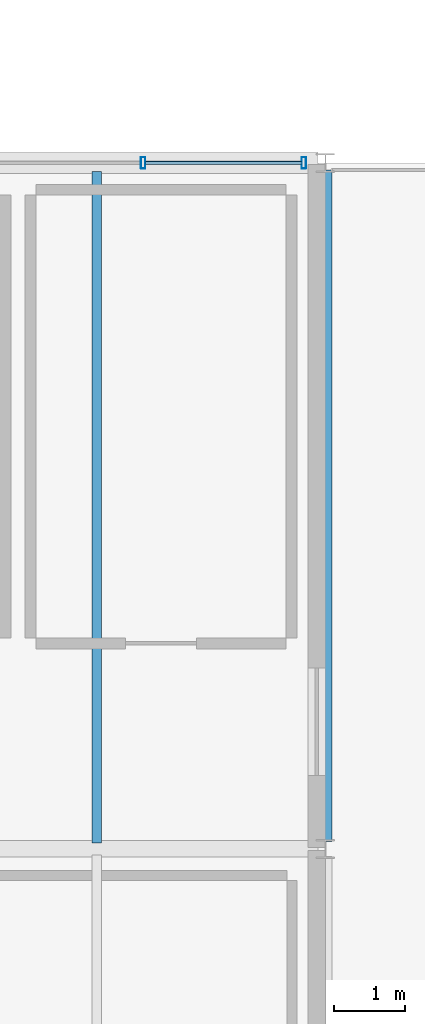
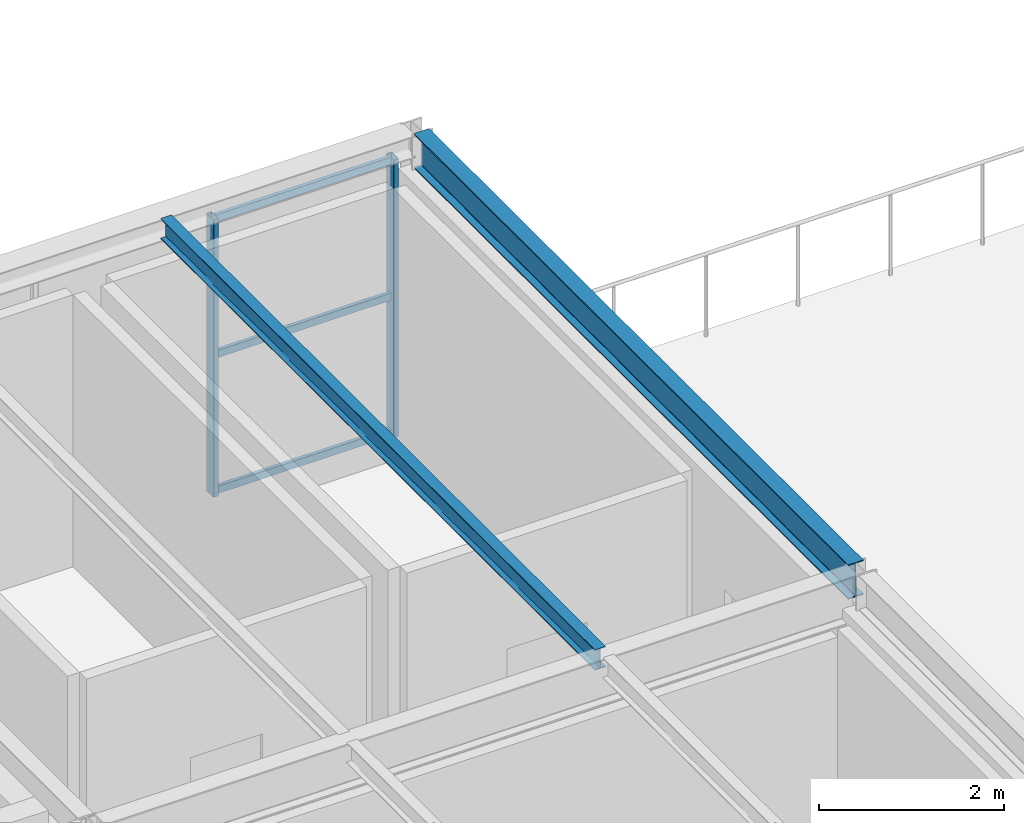
# One storey, part 31 of 39: 5 members, 2 beams, 1 element without a shape of its own.
"""IFC4 building model written with IfcOpenShell, lengths in metres."""

from ifc_helpers import new_model, si_unit, direction, frame, origin, origin_2d, place, context, subcontext, project, spatial, hollow_rectangle, i_section, extrude, material, material_profile, profile_set, type_object, element, aggregate, save


model = new_model("IFC4")

# Units and contexts
model_context = context("Model", 3, precision=1e-05, world=origin(), true_north=direction((0.0, 1.0)))
body_context = subcontext(model_context, "Body", "Model", "MODEL_VIEW")
ifc_project = project(units=[si_unit("LENGTHUNIT", "METRE"), si_unit("AREAUNIT", "SQUARE_METRE"), si_unit("VOLUMEUNIT", "CUBIC_METRE"), si_unit("PLANEANGLEUNIT", "RADIAN"), si_unit("MASSUNIT", "GRAM", prefix="KILO")], contexts=[model_context])

# Site, building, storey
site_placement = place(None, origin())
site = spatial("IfcSite", under=ifc_project, at=site_placement, CompositionType="ELEMENT")
building_placement = place(site_placement, origin())
building = spatial("IfcBuilding", under=site, at=building_placement, Name="Coralgate Yard Interchange", CompositionType="ELEMENT")
storey_placement = place(building_placement, frame((0.0, 0.0, 18.89990234375)))
storey = spatial("IfcBuildingStorey", under=building, at=storey_placement, Name="L04", CompositionType="ELEMENT", Elevation=18.89990234375)

# Beams
ifc_material_1 = material(Name="Structural steel S355J2", Category="steel")
ifc_material_profile_1 = material_profile(ifc_material_1, i_section(OverallWidth=0.1904296875, OverallDepth=0.45703125, WebThickness=0.009033203125, FlangeThickness=0.014404296875, FilletRadius=0.01025390625, at=origin_2d()), Name="UB 457x191x74")
ifc_profile_set_1 = profile_set([ifc_material_profile_1], Name="Structural steel S355J2")
beam_type_1 = type_object("IfcBeamType", Name="BM-SB-2", PredefinedType="BEAM", material=ifc_profile_set_1)
beam_1_placement = place(storey_placement, frame((67.199951171875, 9.703369140625, 3.7216796875), z_axis=(0.0, 1.0, 0.0), x_axis=(-1.0, 0.0, 0.0)))
element("IfcBeam", 1, at=beam_1_placement, inside=storey, type_object=beam_type_1, Name="L04 primary grid girder X7 Y1-2", PredefinedType="BEAM", context=body_context, shape_type="SweptSolid", body=[
    extrude(i_section(OverallWidth=0.1904296875, OverallDepth=0.45703125, WebThickness=0.009033203125, FlangeThickness=0.014404296875, FilletRadius=0.01025390625, at=origin_2d()), origin(), (0.0, 0.0, 1.0), 9.393310546875),
])
ifc_material_profile_2 = material_profile(ifc_material_1, i_section(OverallWidth=0.135009765625, OverallDepth=0.27001953125, WebThickness=0.006591796875, FlangeThickness=0.01025390625, FilletRadius=0.014892578125, at=origin_2d()), Name="IPE 270")
ifc_profile_set_2 = profile_set([ifc_material_profile_2], Name="Structural steel S355J2")
beam_type_2 = type_object("IfcBeamType", Name="BM-SJ-3", PredefinedType="JOIST", material=ifc_profile_set_2)
beam_2_placement = place(storey_placement, frame((64.0, 9.68408203125, 3.815185546875), z_axis=(0.0, 1.0, 0.0), x_axis=(-1.0, 0.0, 0.0)))
element("IfcBeam", 2, at=beam_2_placement, inside=storey, type_object=beam_type_2, Name="L04 composite floor joist 6-1-2", PredefinedType="JOIST", context=body_context, shape_type="SweptSolid", body=[
    extrude(i_section(OverallWidth=0.135009765625, OverallDepth=0.27001953125, WebThickness=0.006591796875, FlangeThickness=0.01025390625, FilletRadius=0.014892578125, at=origin_2d()), origin(), (0.0, 0.0, 1.0), 9.39599609375),
])

# Curtain wall, members
ifc_material_2 = material(Name="Anodised coastal aluminium and solar-control low-E glass", Category="aluminium")
curtain_wall_type = type_object("IfcCurtainWallType", Name="CW-CW-L04-A", PredefinedType="NOTDEFINED", material=ifc_material_2)
curtain_wall_placement = place(storey_placement, origin())
curtain_wall = element("IfcCurtainWall", 3, at=curtain_wall_placement, inside=storey, type_object=curtain_wall_type, Name="L04 unitised curtain wall CW-L04-N-06-01", PredefinedType="NOTDEFINED")
ifc_material_3 = material(Name="Anodised coastal aluminium 6063-T6", Category="aluminium")
ifc_material_profile_3 = material_profile(ifc_material_3, hollow_rectangle(XDim=0.06494140625, YDim=0.159912109375, WallThickness=0.00390625, InnerFilletRadius=0.00390625, OuterFilletRadius=0.008056640625, at=origin_2d()), Name="ALU 65x160x4")
ifc_profile_set_3 = profile_set([ifc_material_profile_3], Name="Anodised coastal aluminium 6063-T6")
member_type_1 = type_object("IfcMemberType", Name="MB-MUL-160", PredefinedType="MULLION", material=ifc_profile_set_3)
member_1_placement = place(storey_placement, frame((64.64990234375, 19.199951171875, 0.0), z_axis=(0.0, 0.0, 1.0), x_axis=(1.0, 0.0, 0.0)))
member_1 = element("IfcMember", 4, at=member_1_placement, type_object=member_type_1, Name="CW-L04-N-06-01 vertical mullion 4", PredefinedType="MULLION", context=body_context, shape_type="SweptSolid", body=[
    extrude(hollow_rectangle(XDim=0.06494140625, YDim=0.159912109375, WallThickness=0.00390625, InnerFilletRadius=0.00390625, OuterFilletRadius=0.008056640625, at=origin_2d()), origin(), (0.0, 0.0, 1.0), 3.66015625),
])
member_2_placement = place(storey_placement, frame((66.89990234375, 19.199951171875, 0.0), z_axis=(0.0, 0.0, 1.0), x_axis=(1.0, 0.0, 0.0)))
member_2 = element("IfcMember", 5, at=member_2_placement, type_object=member_type_1, Name="CW-L04-N-06-01 vertical mullion 5", PredefinedType="MULLION", context=body_context, shape_type="SweptSolid", body=[
    extrude(hollow_rectangle(XDim=0.06494140625, YDim=0.159912109375, WallThickness=0.00390625, InnerFilletRadius=0.00390625, OuterFilletRadius=0.008056640625, at=origin_2d()), origin(), (0.0, 0.0, 1.0), 3.66015625),
])
ifc_material_profile_4 = material_profile(ifc_material_3, hollow_rectangle(XDim=0.050048828125, YDim=0.10009765625, WallThickness=0.0029296875, InnerFilletRadius=0.0029296875, OuterFilletRadius=0.006103515625, at=origin_2d()), Name="ALU 50x100x3")
ifc_profile_set_4 = profile_set([ifc_material_profile_4], Name="Anodised coastal aluminium 6063-T6")
member_type_2 = type_object("IfcMemberType", Name="MB-TRN-100", PredefinedType="USERDEFINED", material=ifc_profile_set_4)
member_3_placement = place(storey_placement, frame((64.679931640625, 19.199951171875, 0.03515625), z_axis=(1.0, 0.0, 0.0), x_axis=(0.0, 1.0, 0.0)))
member_3 = element("IfcMember", 6, at=member_3_placement, type_object=member_type_2, Name="CW-L04-N-06-01 horizontal transom 4-1", ObjectType="TRANSOM", PredefinedType="USERDEFINED", context=body_context, shape_type="SweptSolid", body=[
    extrude(hollow_rectangle(XDim=0.050048828125, YDim=0.10009765625, WallThickness=0.0029296875, InnerFilletRadius=0.0029296875, OuterFilletRadius=0.006103515625, at=origin_2d()), origin(), (0.0, 0.0, 1.0), 2.190185546875),
])
member_4_placement = place(storey_placement, frame((64.679931640625, 19.199951171875, 1.830078125), z_axis=(1.0, 0.0, 0.0), x_axis=(0.0, 1.0, 0.0)))
member_4 = element("IfcMember", 7, at=member_4_placement, type_object=member_type_2, Name="CW-L04-N-06-01 horizontal transom 4-2", ObjectType="TRANSOM", PredefinedType="USERDEFINED", context=body_context, shape_type="SweptSolid", body=[
    extrude(hollow_rectangle(XDim=0.050048828125, YDim=0.10009765625, WallThickness=0.0029296875, InnerFilletRadius=0.0029296875, OuterFilletRadius=0.006103515625, at=origin_2d()), origin(), (0.0, 0.0, 1.0), 2.190185546875),
])
member_5_placement = place(storey_placement, frame((64.679931640625, 19.199951171875, 3.625), z_axis=(1.0, 0.0, 0.0), x_axis=(0.0, 1.0, 0.0)))
member_5 = element("IfcMember", 8, at=member_5_placement, type_object=member_type_2, Name="CW-L04-N-06-01 horizontal transom 4-3", ObjectType="TRANSOM", PredefinedType="USERDEFINED", context=body_context, shape_type="SweptSolid", body=[
    extrude(hollow_rectangle(XDim=0.050048828125, YDim=0.10009765625, WallThickness=0.0029296875, InnerFilletRadius=0.0029296875, OuterFilletRadius=0.006103515625, at=origin_2d()), origin(), (0.0, 0.0, 1.0), 2.190185546875),
])
aggregate(curtain_wall, [member_1, member_2, member_3, member_4, member_5])

save(model, "model.ifc")
